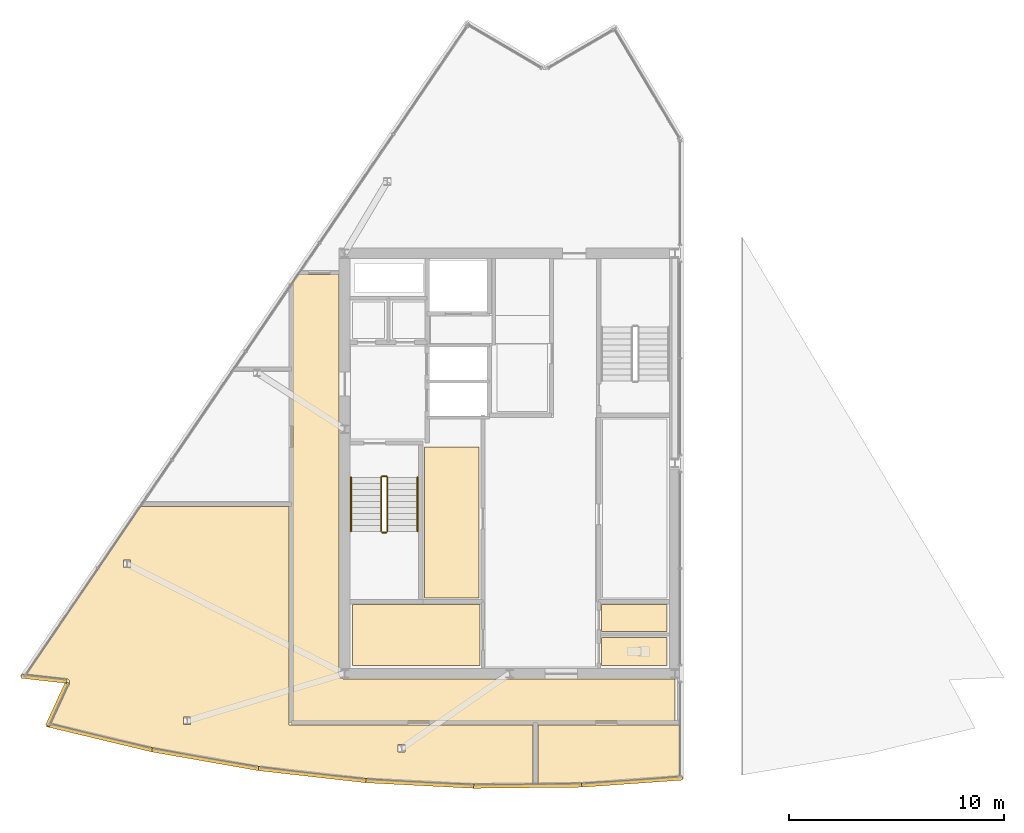
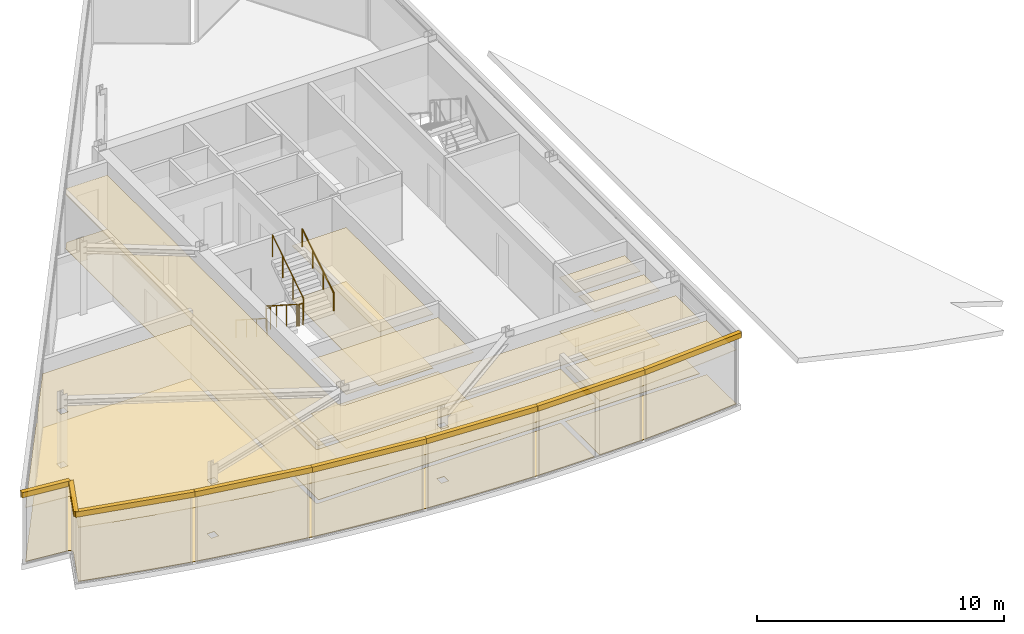
# One storey, part 7 of 10: 22 coverings, 6 railings.
"""IFC4 building model written with IfcOpenShell, lengths in metres."""

from ifc_helpers import new_model, si_unit, direction, frame, origin, origin_2d, place, context, subcontext, project, spatial, polyline, circle, outline, extrude, material, layer, layer_set, type_object, element, save


model = new_model("IFC4")

# Units and contexts
model_context = context("Model", 3, precision=1e-05, world=origin(), true_north=direction((0.0, 1.0)))
body_context = subcontext(model_context, "Body", "Model", "MODEL_VIEW")
ifc_project = project(units=[si_unit("LENGTHUNIT", "METRE"), si_unit("AREAUNIT", "SQUARE_METRE"), si_unit("VOLUMEUNIT", "CUBIC_METRE"), si_unit("PLANEANGLEUNIT", "RADIAN"), si_unit("MASSUNIT", "GRAM", prefix="KILO")], contexts=[model_context])

# Site, building, storey
site_placement = place(None, origin())
site = spatial("IfcSite", under=ifc_project, at=site_placement, CompositionType="ELEMENT")
building_placement = place(site_placement, origin())
building = spatial("IfcBuilding", under=site, at=building_placement, Name="Savorim Split Tower", CompositionType="ELEMENT")
storey_placement = place(building_placement, frame((0.0, 0.0, 315.60009765625)))
storey = spatial("IfcBuildingStorey", under=building, at=storey_placement, Name="Crown L84 Plant", CompositionType="ELEMENT", Elevation=315.60009765625)

# Coverings
ifc_material_1 = material(Name="Mineral Fibre Acoustic Ceiling")
ifc_layer_1 = layer(ifc_material_1, 0.02490234375)
ifc_layer_set_1 = layer_set([ifc_layer_1], Name="COV-CEIL-25")
covering_type_1 = type_object("IfcCoveringType", Name="COV-CEIL-25", PredefinedType="CEILING", material=ifc_layer_set_1)
covering_1_placement = place(storey_placement, frame((0.0, 0.0, 2.659912109375)))
element("IfcCovering", 1, at=covering_1_placement, inside=storey, type_object=covering_type_1, Name="Crown L84 Plant Core Mechanical Store West Acoustic Ceiling", PredefinedType="CEILING", context=body_context, shape_type="SweptSolid", body=[
    extrude(outline(polyline([(-3.969970703125, 1.169921875), (-3.969970703125, -5.8701171875), (-1.429931640625, -5.8701171875), (-1.429931640625, 1.169921875), (-3.969970703125, 1.169921875)])), origin(), (0.0, 0.0, 1.0), 0.02490234375),
])
covering_2_placement = place(storey_placement, frame((0.0, 0.0, 2.659912109375)))
element("IfcCovering", 2, at=covering_2_placement, inside=storey, type_object=covering_type_1, Name="Crown L84 Plant Housekeeping Store Acoustic Ceiling", PredefinedType="CEILING", context=body_context, shape_type="SweptSolid", body=[
    extrude(outline(polyline([(-7.320068359375, -6.179931640625), (-7.320068359375, -9.02001953125), (-1.3798828125, -9.02001953125), (-1.3798828125, -6.179931640625), (-7.320068359375, -6.179931640625)])), origin(), (0.0, 0.0, 1.0), 0.02490234375),
])
covering_3_placement = place(storey_placement, frame((0.0, 0.0, 2.659912109375)))
element("IfcCovering", 3, at=covering_3_placement, inside=storey, type_object=covering_type_1, Name="Crown L84 Plant Accessible WC Acoustic Ceiling", PredefinedType="CEILING", context=body_context, shape_type="SweptSolid", body=[
    extrude(outline(polyline([(4.280029296875, -7.719970703125), (4.280029296875, -9.02001953125), (7.320068359375, -9.02001953125), (7.320068359375, -7.719970703125), (4.280029296875, -7.719970703125)])), origin(), (0.0, 0.0, 1.0), 0.02490234375),
])
covering_4_placement = place(storey_placement, frame((0.0, 0.0, 2.659912109375)))
element("IfcCovering", 4, at=covering_4_placement, inside=storey, type_object=covering_type_1, Name="Crown L84 Plant Cleaning Store Acoustic Ceiling", PredefinedType="CEILING", context=body_context, shape_type="SweptSolid", body=[
    extrude(outline(polyline([(4.280029296875, -6.179931640625), (4.280029296875, -7.43994140625), (7.320068359375, -7.43994140625), (7.320068359375, -6.179931640625), (4.280029296875, -6.179931640625)])), origin(), (0.0, 0.0, 1.0), 0.02490234375),
])
covering_5_placement = place(storey_placement, frame((0.0, 0.0, 2.659912109375)))
element("IfcCovering", 5, at=covering_5_placement, inside=storey, type_object=covering_type_1, Name="Crown L84 Plant Plant Corridor Acoustic Ceiling", PredefinedType="CEILING", context=body_context, shape_type="SweptSolid", body=[
    extrude(outline(polyline([(-10.10009765625, -11.60009765625), (-7.699951171875, -11.60009765625), (7.699951171875, -11.60009765625), (7.699951171875, -9.64990234375), (-7.699951171875, -9.64990234375), (-7.724609375, -9.648681640625), (-7.748779296875, -9.645263671875), (-7.772705078125, -9.63916015625), (-7.795654296875, -9.631103515625), (-7.81787109375, -9.62060546875), (-7.8388671875, -9.60791015625), (-7.85498046875, -9.595947265625), (-7.89697265625, -9.595947265625), (-7.89697265625, -9.553466796875), (-7.907958984375, -9.538818359375), (-7.92041015625, -9.517822265625), (-7.930908203125, -9.49560546875), (-7.939208984375, -9.47265625), (-7.9453125, -9.44873046875), (-7.94873046875, -9.424560546875), (-7.949951171875, -9.39990234375), (-7.949951171875, 9.199951171875), (-9.85400390625, 9.199951171875), (-10.10009765625, 8.83837890625), (-10.10009765625, -9.39990234375), (-10.10009765625, -11.60009765625)])), origin(), (0.0, 0.0, 1.0), 0.02490234375),
])
covering_6_placement = place(storey_placement, frame((0.0, 0.0, 2.659912109375)))
element("IfcCovering", 6, at=covering_6_placement, inside=storey, type_object=covering_type_1, Name="Crown L84 Plant AHU Mechanical Plant Room Acoustic Ceiling", PredefinedType="CEILING", context=body_context, shape_type="SweptSolid", body=[
    extrude(outline(polyline([(-3.353515625, -14.495361328125), (-1.677001953125, -14.546875), (0.0, -14.56396484375), (1.080078125, -14.552978515625), (1.080078125, -11.800048828125), (-10.06005859375, -11.800048828125), (-10.179931640625, -11.800048828125), (-10.300048828125, -11.800048828125), (-10.300048828125, -11.56005859375), (-10.300048828125, -1.6201171875), (-17.181396484375, -1.6201171875), (-17.214599609375, -1.6201171875), (-22.53466796875, -9.4404296875), (-20.63818359375, -9.65234375), (-20.62451171875, -9.654541015625), (-20.611083984375, -9.658203125), (-20.597900390625, -9.6630859375), (-20.585693359375, -9.669189453125), (-20.57373046875, -9.676513671875), (-20.562744140625, -9.68505859375), (-20.552490234375, -9.694580078125), (-20.54345703125, -9.705078125), (-20.535400390625, -9.716552734375), (-20.528564453125, -9.728759765625), (-20.52294921875, -9.741455078125), (-20.518798828125, -9.754638671875), (-20.515625, -9.768310546875), (-20.51416015625, -9.781982421875), (-20.513916015625, -9.7958984375), (-20.514892578125, -9.809814453125), (-20.517578125, -9.823486328125), (-20.521484375, -9.8369140625), (-20.526611328125, -9.849853515625), (-21.38720703125, -11.722900390625), (-19.924560546875, -12.105224609375), (-18.293701171875, -12.496337890625), (-16.655029296875, -12.85400390625), (-15.009521484375, -13.177978515625), (-13.357666015625, -13.46826171875), (-11.7001953125, -13.724609375), (-10.037841796875, -13.947021484375), (-8.371337890625, -14.13525390625), (-6.701416015625, -14.28955078125), (-5.0283203125, -14.40966796875), (-3.353515625, -14.495361328125)]), holes=[polyline([(-15.2021484375, -11.426513671875), (-15.2021484375, -11.776611328125), (-14.872314453125, -11.776611328125), (-14.872314453125, -11.426513671875), (-15.2021484375, -11.426513671875)]), polyline([(-5.20458984375, -12.710205078125), (-5.20458984375, -13.06005859375), (-4.874755859375, -13.06005859375), (-4.874755859375, -12.710205078125), (-5.20458984375, -12.710205078125)]), polyline([(-18.00537109375, -4.11376953125), (-18.00537109375, -4.463623046875), (-17.67529296875, -4.463623046875), (-17.67529296875, -4.11376953125), (-18.00537109375, -4.11376953125)])]), origin(), (0.0, 0.0, 1.0), 0.02490234375),
])
covering_7_placement = place(storey_placement, frame((0.0, 0.0, 2.659912109375)))
element("IfcCovering", 7, at=covering_7_placement, inside=storey, type_object=covering_type_1, Name="Crown L84 Plant Chiller Plant Room Acoustic Ceiling", PredefinedType="CEILING", context=body_context, shape_type="SweptSolid", body=[
    extrude(outline(polyline([(3.353515625, -14.495361328125), (5.0283203125, -14.40966796875), (6.701416015625, -14.28955078125), (7.909912109375, -14.177978515625), (7.909912109375, -11.800048828125), (1.320068359375, -11.800048828125), (1.320068359375, -14.550537109375), (1.677001953125, -14.546875), (3.353515625, -14.495361328125)])), origin(), (0.0, 0.0, 1.0), 0.02490234375),
])
ifc_material_2 = material(Name="Terracotta Ceramic-Coated Aluminium Fin", Category="masonry")
ifc_layer_2 = layer(ifc_material_2, 0.050048828125)
ifc_layer_set_2 = layer_set([ifc_layer_2], Name="COV-CLAD-TERRA")
covering_type_2 = type_object("IfcCoveringType", Name="COV-CLAD-TERRA", PredefinedType="CLADDING", material=ifc_layer_set_2)
covering_8_placement = place(storey_placement, frame((0.0, 0.0, 3.33984375)))
element("IfcCovering", 8, at=covering_8_placement, inside=storey, type_object=covering_type_2, Name="Crown L84 Plant Sloped Crest Eave Spandrel W6", PredefinedType="CLADDING", context=body_context, shape_type="SweptSolid", body=[
    extrude(outline(polyline([(-22.787841796875, -9.61328125), (-20.660400390625, -9.85107421875), (-20.63818359375, -9.65234375), (-22.765625, -9.414794921875), (-22.787841796875, -9.61328125)])), origin(), (0.0, 0.0, 1.0), 0.260009765625),
])
covering_9_placement = place(storey_placement, frame((0.0, 0.0, 3.33984375)))
element("IfcCovering", 9, at=covering_9_placement, inside=storey, type_object=covering_type_2, Name="Crown L84 Plant Sloped Crest Eave Spandrel W7", PredefinedType="CLADDING", context=body_context, shape_type="SweptSolid", body=[
    extrude(outline(polyline([(-20.708251953125, -9.766357421875), (-21.638427734375, -11.791015625), (-21.456787109375, -11.87451171875), (-20.526611328125, -9.849853515625), (-20.708251953125, -9.766357421875)])), origin(), (0.0, 0.0, 1.0), 0.260009765625),
])
covering_10_placement = place(storey_placement, frame((0.0, 0.0, 3.33984375)))
element("IfcCovering", 10, at=covering_10_placement, inside=storey, type_object=covering_type_2, Name="Crown L84 Plant Sloped Crest Eave Spandrel W8", PredefinedType="CLADDING", context=body_context, shape_type="SweptSolid", body=[
    extrude(outline(polyline([(-21.597900390625, -11.874267578125), (-16.697509765625, -13.04931640625), (-16.65087890625, -12.85498046875), (-21.551513671875, -11.679931640625), (-21.597900390625, -11.874267578125)])), origin(), (0.0, 0.0, 1.0), 0.260009765625),
])
covering_11_placement = place(storey_placement, frame((0.0, 0.0, 3.33984375)))
element("IfcCovering", 11, at=covering_11_placement, inside=storey, type_object=covering_type_2, Name="Crown L84 Plant Sloped Crest Eave Spandrel W9", PredefinedType="CLADDING", context=body_context, shape_type="SweptSolid", body=[
    extrude(outline(polyline([(-16.69384765625, -13.050048828125), (-11.730712890625, -13.922119140625), (-11.696044921875, -13.72509765625), (-16.6591796875, -12.85302734375), (-16.69384765625, -13.050048828125)])), origin(), (0.0, 0.0, 1.0), 0.260009765625),
])
covering_12_placement = place(storey_placement, frame((0.0, 0.0, 3.33984375)))
element("IfcCovering", 12, at=covering_12_placement, inside=storey, type_object=covering_type_2, Name="Crown L84 Plant Sloped Crest Eave Spandrel W10", PredefinedType="CLADDING", context=body_context, shape_type="SweptSolid", body=[
    extrude(outline(polyline([(-11.726806640625, -13.922607421875), (-6.719482421875, -14.48876953125), (-6.697021484375, -14.2900390625), (-11.70458984375, -13.72412109375), (-11.726806640625, -13.922607421875)])), origin(), (0.0, 0.0, 1.0), 0.260009765625),
])
covering_13_placement = place(storey_placement, frame((0.0, 0.0, 3.33984375)))
element("IfcCovering", 13, at=covering_13_placement, inside=storey, type_object=covering_type_2, Name="Crown L84 Plant Sloped Crest Eave Spandrel W11", PredefinedType="CLADDING", context=body_context, shape_type="SweptSolid", body=[
    extrude(outline(polyline([(-6.7158203125, -14.489013671875), (-1.68310546875, -14.74658203125), (-1.672607421875, -14.547119140625), (-6.70556640625, -14.289306640625), (-6.7158203125, -14.489013671875)])), origin(), (0.0, 0.0, 1.0), 0.260009765625),
])
covering_14_placement = place(storey_placement, frame((0.0, 0.0, 3.33984375)))
element("IfcCovering", 14, at=covering_14_placement, inside=storey, type_object=covering_type_2, Name="Crown L84 Plant Sloped Crest Eave Spandrel W12", PredefinedType="CLADDING", context=body_context, shape_type="SweptSolid", body=[
    extrude(outline(polyline([(-1.67919921875, -14.746826171875), (3.35986328125, -14.6953125), (3.35791015625, -14.495361328125), (-1.681396484375, -14.546875), (-1.67919921875, -14.746826171875)])), origin(), (0.0, 0.0, 1.0), 0.260009765625),
])
covering_15_placement = place(storey_placement, frame((0.0, 0.0, 3.33984375)))
element("IfcCovering", 15, at=covering_15_placement, inside=storey, type_object=covering_type_2, Name="Crown L84 Plant Sloped Crest Eave Spandrel W13", PredefinedType="CLADDING", context=body_context, shape_type="SweptSolid", body=[
    extrude(outline(polyline([(3.36328125, -14.6953125), (8.05419921875, -14.365478515625), (8.040283203125, -14.166015625), (3.349365234375, -14.49560546875), (3.36328125, -14.6953125)])), origin(), (0.0, 0.0, 1.0), 0.260009765625),
])
ifc_material_3 = material(Name="Porcelain Stoneware Flooring", Category="masonry")
ifc_layer_3 = layer(ifc_material_3, 0.02001953125)
ifc_layer_set_3 = layer_set([ifc_layer_3], Name="COV-FLOR-20")
covering_type_3 = type_object("IfcCoveringType", Name="COV-FLOR-20", PredefinedType="FLOORING", material=ifc_layer_set_3)
covering_16_placement = place(storey_placement, origin())
element("IfcCovering", 16, at=covering_16_placement, inside=storey, type_object=covering_type_3, Name="Crown L84 Plant Core Mechanical Store West Porcelain Flooring", PredefinedType="FLOORING", context=body_context, shape_type="SweptSolid", body=[
    extrude(outline(polyline([(-3.969970703125, 1.169921875), (-3.969970703125, -5.8701171875), (-1.429931640625, -5.8701171875), (-1.429931640625, 1.169921875), (-3.969970703125, 1.169921875)])), origin(), (0.0, 0.0, 1.0), 0.02001953125),
])
covering_17_placement = place(storey_placement, origin())
element("IfcCovering", 17, at=covering_17_placement, inside=storey, type_object=covering_type_3, Name="Crown L84 Plant Housekeeping Store Porcelain Flooring", PredefinedType="FLOORING", context=body_context, shape_type="SweptSolid", body=[
    extrude(outline(polyline([(-7.320068359375, -6.179931640625), (-7.320068359375, -9.02001953125), (-1.3798828125, -9.02001953125), (-1.3798828125, -6.179931640625), (-7.320068359375, -6.179931640625)])), origin(), (0.0, 0.0, 1.0), 0.02001953125),
])
covering_18_placement = place(storey_placement, origin())
element("IfcCovering", 18, at=covering_18_placement, inside=storey, type_object=covering_type_3, Name="Crown L84 Plant Accessible WC Porcelain Flooring", PredefinedType="FLOORING", context=body_context, shape_type="SweptSolid", body=[
    extrude(outline(polyline([(4.280029296875, -7.719970703125), (4.280029296875, -9.02001953125), (7.320068359375, -9.02001953125), (7.320068359375, -7.719970703125), (4.280029296875, -7.719970703125)])), origin(), (0.0, 0.0, 1.0), 0.02001953125),
])
covering_19_placement = place(storey_placement, origin())
element("IfcCovering", 19, at=covering_19_placement, inside=storey, type_object=covering_type_3, Name="Crown L84 Plant Cleaning Store Porcelain Flooring", PredefinedType="FLOORING", context=body_context, shape_type="SweptSolid", body=[
    extrude(outline(polyline([(4.280029296875, -6.179931640625), (4.280029296875, -7.43994140625), (7.320068359375, -7.43994140625), (7.320068359375, -6.179931640625), (4.280029296875, -6.179931640625)])), origin(), (0.0, 0.0, 1.0), 0.02001953125),
])
covering_20_placement = place(storey_placement, origin())
element("IfcCovering", 20, at=covering_20_placement, inside=storey, type_object=covering_type_3, Name="Crown L84 Plant Plant Corridor Porcelain Flooring", PredefinedType="FLOORING", context=body_context, shape_type="SweptSolid", body=[
    extrude(outline(polyline([(-10.10009765625, -11.60009765625), (-7.699951171875, -11.60009765625), (7.699951171875, -11.60009765625), (7.699951171875, -9.64990234375), (-7.699951171875, -9.64990234375), (-7.724609375, -9.648681640625), (-7.748779296875, -9.645263671875), (-7.772705078125, -9.63916015625), (-7.795654296875, -9.631103515625), (-7.81787109375, -9.62060546875), (-7.8388671875, -9.60791015625), (-7.85498046875, -9.595947265625), (-7.89697265625, -9.595947265625), (-7.89697265625, -9.553466796875), (-7.907958984375, -9.538818359375), (-7.92041015625, -9.517822265625), (-7.930908203125, -9.49560546875), (-7.939208984375, -9.47265625), (-7.9453125, -9.44873046875), (-7.94873046875, -9.424560546875), (-7.949951171875, -9.39990234375), (-7.949951171875, 9.199951171875), (-9.85400390625, 9.199951171875), (-10.10009765625, 8.83837890625), (-10.10009765625, -9.39990234375), (-10.10009765625, -11.60009765625)])), origin(), (0.0, 0.0, 1.0), 0.02001953125),
])
covering_21_placement = place(storey_placement, origin())
element("IfcCovering", 21, at=covering_21_placement, inside=storey, type_object=covering_type_3, Name="Crown L84 Plant AHU Mechanical Plant Room Porcelain Flooring", PredefinedType="FLOORING", context=body_context, shape_type="SweptSolid", body=[
    extrude(outline(polyline([(-3.353515625, -14.495361328125), (-1.677001953125, -14.546875), (0.0, -14.56396484375), (1.080078125, -14.552978515625), (1.080078125, -11.800048828125), (-10.06005859375, -11.800048828125), (-10.179931640625, -11.800048828125), (-10.300048828125, -11.800048828125), (-10.300048828125, -11.56005859375), (-10.300048828125, -1.6201171875), (-17.181396484375, -1.6201171875), (-17.214599609375, -1.6201171875), (-22.53466796875, -9.4404296875), (-20.63818359375, -9.65234375), (-20.62451171875, -9.654541015625), (-20.611083984375, -9.658203125), (-20.597900390625, -9.6630859375), (-20.585693359375, -9.669189453125), (-20.57373046875, -9.676513671875), (-20.562744140625, -9.68505859375), (-20.552490234375, -9.694580078125), (-20.54345703125, -9.705078125), (-20.535400390625, -9.716552734375), (-20.528564453125, -9.728759765625), (-20.52294921875, -9.741455078125), (-20.518798828125, -9.754638671875), (-20.515625, -9.768310546875), (-20.51416015625, -9.781982421875), (-20.513916015625, -9.7958984375), (-20.514892578125, -9.809814453125), (-20.517578125, -9.823486328125), (-20.521484375, -9.8369140625), (-20.526611328125, -9.849853515625), (-21.38720703125, -11.722900390625), (-19.924560546875, -12.105224609375), (-18.293701171875, -12.496337890625), (-16.655029296875, -12.85400390625), (-15.009521484375, -13.177978515625), (-13.357666015625, -13.46826171875), (-11.7001953125, -13.724609375), (-10.037841796875, -13.947021484375), (-8.371337890625, -14.13525390625), (-6.701416015625, -14.28955078125), (-5.0283203125, -14.40966796875), (-3.353515625, -14.495361328125)]), holes=[polyline([(-15.2021484375, -11.426513671875), (-15.2021484375, -11.776611328125), (-14.872314453125, -11.776611328125), (-14.872314453125, -11.426513671875), (-15.2021484375, -11.426513671875)]), polyline([(-5.20458984375, -12.710205078125), (-5.20458984375, -13.06005859375), (-4.874755859375, -13.06005859375), (-4.874755859375, -12.710205078125), (-5.20458984375, -12.710205078125)]), polyline([(-18.00537109375, -4.11376953125), (-18.00537109375, -4.463623046875), (-17.67529296875, -4.463623046875), (-17.67529296875, -4.11376953125), (-18.00537109375, -4.11376953125)])]), origin(), (0.0, 0.0, 1.0), 0.02001953125),
])
covering_22_placement = place(storey_placement, origin())
element("IfcCovering", 22, at=covering_22_placement, inside=storey, type_object=covering_type_3, Name="Crown L84 Plant Chiller Plant Room Porcelain Flooring", PredefinedType="FLOORING", context=body_context, shape_type="SweptSolid", body=[
    extrude(outline(polyline([(3.353515625, -14.495361328125), (5.0283203125, -14.40966796875), (6.701416015625, -14.28955078125), (7.909912109375, -14.177978515625), (7.909912109375, -11.800048828125), (1.320068359375, -11.800048828125), (1.320068359375, -14.550537109375), (1.677001953125, -14.546875), (3.353515625, -14.495361328125)])), origin(), (0.0, 0.0, 1.0), 0.02001953125),
])

# Railings
ifc_material_4 = material(Name="Galvanised Painted Steel Balustrade", Category="steel")
railing_type_1 = type_object("IfcRailingType", Name="RLG-HR-900", PredefinedType="HANDRAIL", material=ifc_material_4)
railing_1_placement = place(storey_placement, frame((-7.39990234375, -0.25, 0.179931640625)))
element("IfcRailing", 23, at=railing_1_placement, inside=storey, type_object=railing_type_1, Name="Crown L84 Plant ST-1 stair handrail 1", PredefinedType="HANDRAIL", context=body_context, shape_type="SweptSolid", body=[
    extrude(circle(Radius=0.02392578125, at=origin_2d()), frame((0.0, 0.0, 0.8759765625), z_axis=(0.0, -0.841199657755, 0.540724639528), x_axis=(1.0, 0.0, 0.0)), (0.0, 0.0, 1.0), 2.995849609375),
    extrude(circle(Radius=0.02099609375, at=origin_2d()), origin(), (0.0, 0.0, 1.0), 0.851806640625),
    extrude(circle(Radius=0.02099609375, at=origin_2d()), frame((0.0, -0.840087890625, 0.5400390625)), (0.0, 0.0, 1.0), 0.851806640625),
    extrude(circle(Radius=0.02099609375, at=origin_2d()), frame((0.0, -1.679931640625, 1.079833984375)), (0.0, 0.0, 1.0), 0.851806640625),
    extrude(circle(Radius=0.02099609375, at=origin_2d()), frame((0.0, -2.52001953125, 1.619873046875)), (0.0, 0.0, 1.0), 0.851806640625),
])
railing_2_placement = place(storey_placement, frame((-4.300048828125, -2.77001953125, 1.97998046875)))
element("IfcRailing", 24, at=railing_2_placement, inside=storey, type_object=railing_type_1, Name="Crown L84 Plant ST-1 stair handrail 2", PredefinedType="HANDRAIL", context=body_context, shape_type="SweptSolid", body=[
    extrude(circle(Radius=0.02392578125, at=origin_2d()), frame((0.0, 0.0, 0.8759765625), z_axis=(0.0, 0.841199657755, 0.540724639528), x_axis=(-1.0, 0.0, 0.0)), (0.0, 0.0, 1.0), 2.995849609375),
    extrude(circle(Radius=0.02099609375, at=origin_2d()), origin(), (0.0, 0.0, 1.0), 0.851806640625),
    extrude(circle(Radius=0.02099609375, at=origin_2d()), frame((0.0, 0.840087890625, 0.5400390625)), (0.0, 0.0, 1.0), 0.851806640625),
    extrude(circle(Radius=0.02099609375, at=origin_2d()), frame((0.0, 1.679931640625, 1.079833984375)), (0.0, 0.0, 1.0), 0.851806640625),
    extrude(circle(Radius=0.02099609375, at=origin_2d()), frame((0.0, 2.52001953125, 1.619873046875)), (0.0, 0.0, 1.0), 0.851806640625),
])
railing_type_2 = type_object("IfcRailingType", Name="RLG-STG-1100", PredefinedType="BALUSTRADE", material=ifc_material_4)
railing_3_placement = place(storey_placement, frame((-6.0, -0.25, 0.179931640625)))
element("IfcRailing", 25, at=railing_3_placement, inside=storey, type_object=railing_type_2, Name="Crown L84 Plant ST-1 stair guard 1", PredefinedType="BALUSTRADE", context=body_context, shape_type="SweptSolid", body=[
    extrude(circle(Radius=0.02392578125, at=origin_2d()), frame((0.0, 0.0, 1.076171875), z_axis=(0.0, -0.841199657755, 0.540724639528), x_axis=(1.0, 0.0, 0.0)), (0.0, 0.0, 1.0), 2.995849609375),
    extrude(circle(Radius=0.02099609375, at=origin_2d()), origin(), (0.0, 0.0, 1.0), 1.052001953125),
    extrude(circle(Radius=0.02099609375, at=origin_2d()), frame((0.0, -0.840087890625, 0.5400390625)), (0.0, 0.0, 1.0), 1.052001953125),
    extrude(circle(Radius=0.02099609375, at=origin_2d()), frame((0.0, -1.679931640625, 1.079833984375)), (0.0, 0.0, 1.0), 1.052001953125),
    extrude(circle(Radius=0.02099609375, at=origin_2d()), frame((0.0, -2.52001953125, 1.619873046875)), (0.0, 0.0, 1.0), 1.052001953125),
])
railing_4_placement = place(storey_placement, frame((-5.949951171875, -2.820068359375, 1.7998046875)))
element("IfcRailing", 26, at=railing_4_placement, inside=storey, type_object=railing_type_2, Name="Crown L84 Plant ST-1 stair guard 2", PredefinedType="BALUSTRADE", context=body_context, shape_type="SweptSolid", body=[
    extrude(circle(Radius=0.02392578125, at=origin_2d()), frame((0.0, 0.0, 1.076171875), z_axis=(1.0, 0.0, 0.0), x_axis=(0.0, 1.0, 0.0)), (0.0, 0.0, 1.0), 0.199951171875),
    extrude(circle(Radius=0.02099609375, at=origin_2d()), origin(), (0.0, 0.0, 1.0), 1.052001953125),
    extrude(circle(Radius=0.02099609375, at=origin_2d()), frame((0.199951171875, 0.0, 0.0)), (0.0, 0.0, 1.0), 1.052001953125),
])
railing_5_placement = place(storey_placement, frame((-5.699951171875, -2.77001953125, 1.97998046875)))
element("IfcRailing", 27, at=railing_5_placement, inside=storey, type_object=railing_type_2, Name="Crown L84 Plant ST-1 stair guard 3", PredefinedType="BALUSTRADE", context=body_context, shape_type="SweptSolid", body=[
    extrude(circle(Radius=0.02392578125, at=origin_2d()), frame((0.0, 0.0, 1.076171875), z_axis=(0.0, 0.841199657755, 0.540724639528), x_axis=(-1.0, 0.0, 0.0)), (0.0, 0.0, 1.0), 2.995849609375),
    extrude(circle(Radius=0.02099609375, at=origin_2d()), origin(), (0.0, 0.0, 1.0), 1.052001953125),
    extrude(circle(Radius=0.02099609375, at=origin_2d()), frame((0.0, 0.840087890625, 0.5400390625)), (0.0, 0.0, 1.0), 1.052001953125),
    extrude(circle(Radius=0.02099609375, at=origin_2d()), frame((0.0, 1.679931640625, 1.079833984375)), (0.0, 0.0, 1.0), 1.052001953125),
    extrude(circle(Radius=0.02099609375, at=origin_2d()), frame((0.0, 2.52001953125, 1.619873046875)), (0.0, 0.0, 1.0), 1.052001953125),
])
railing_6_placement = place(storey_placement, frame((-5.949951171875, -0.199951171875, 0.0)))
element("IfcRailing", 28, at=railing_6_placement, inside=storey, type_object=railing_type_2, Name="Crown L84 Plant ST-1 stair guard 4", PredefinedType="BALUSTRADE", context=body_context, shape_type="SweptSolid", body=[
    extrude(circle(Radius=0.02392578125, at=origin_2d()), frame((0.0, 0.0, 1.076171875), z_axis=(1.0, 0.0, 0.0), x_axis=(0.0, 1.0, 0.0)), (0.0, 0.0, 1.0), 0.199951171875),
    extrude(circle(Radius=0.02099609375, at=origin_2d()), origin(), (0.0, 0.0, 1.0), 1.052001953125),
    extrude(circle(Radius=0.02099609375, at=origin_2d()), frame((0.199951171875, 0.0, 0.0)), (0.0, 0.0, 1.0), 1.052001953125),
])

save(model, "model.ifc")
